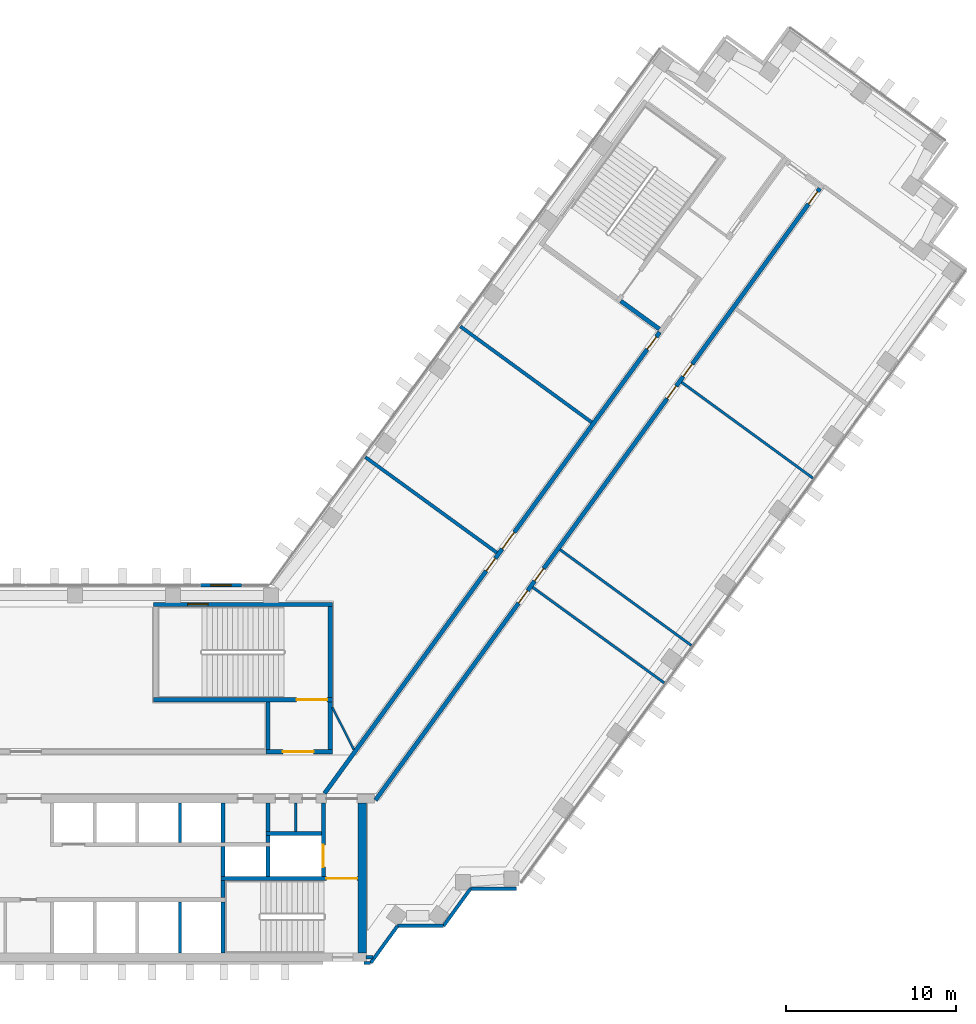
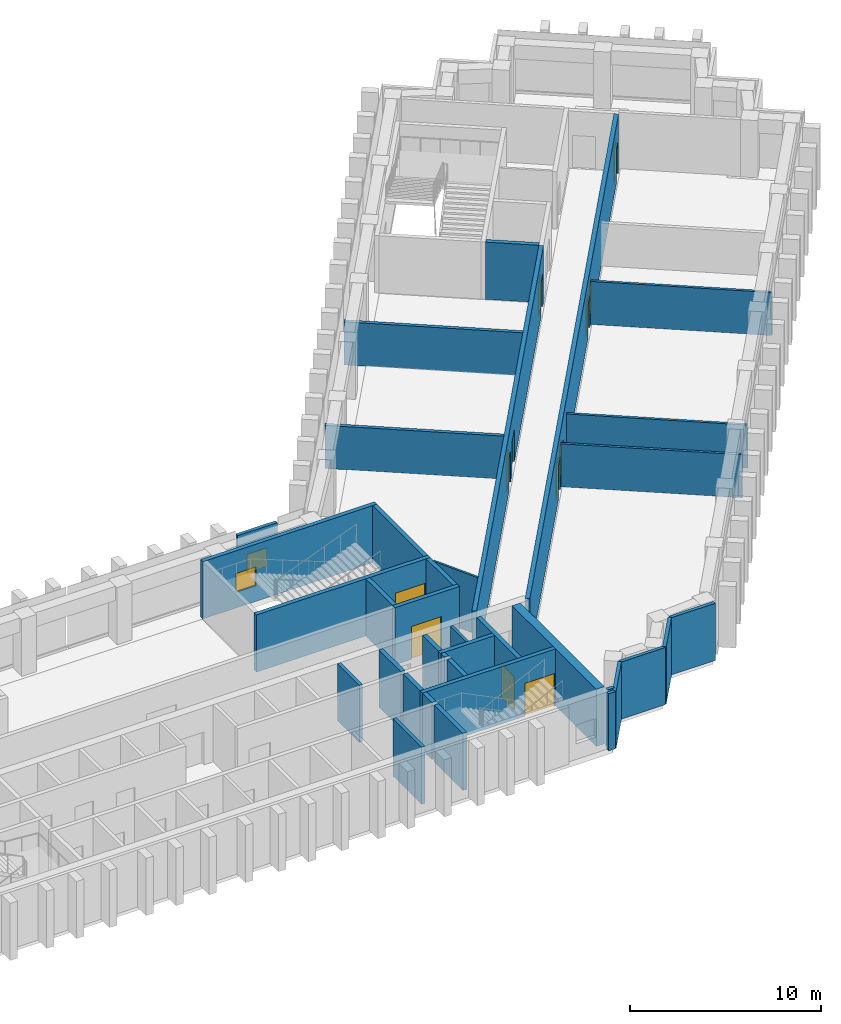
# One storey, part 11 of 16: 36 walls, 12 doors, 2 windows, 14 openings.
"""IFC4 building model written with IfcOpenShell, lengths in metres."""

from ifc_helpers import new_model, si_unit, direction, frame, frame_2d, origin, place, context, subcontext, project, spatial, rectangle, extrude, material, layer, layer_set, type_object, element, fill, save


model = new_model("IFC4")

# Units and contexts
model_context = context("Model", 3, precision=1e-05, world=origin(), true_north=direction((0.0, 1.0)))
body_context = subcontext(model_context, "Body", "Model", "MODEL_VIEW")
ifc_project = project(units=[si_unit("LENGTHUNIT", "METRE"), si_unit("AREAUNIT", "SQUARE_METRE"), si_unit("VOLUMEUNIT", "CUBIC_METRE"), si_unit("PLANEANGLEUNIT", "RADIAN"), si_unit("MASSUNIT", "GRAM", prefix="KILO")], contexts=[model_context])

# Site, building, storey
site_placement = place(None, origin())
site = spatial("IfcSite", under=ifc_project, at=site_placement, CompositionType="ELEMENT")
building_placement = place(site_placement, origin())
building = spatial("IfcBuilding", under=site, at=building_placement, Name="Quipu Civic Tower", CompositionType="ELEMENT")
storey_placement = place(building_placement, frame((0.0, 0.0, 51.0)))
storey = spatial("IfcBuildingStorey", under=building, at=storey_placement, Name="L11", CompositionType="ELEMENT", Elevation=51.0)

# Walls
ifc_material_1 = material(Name="Double gypsum plasterboard with mineral wool")
ifc_layer_1 = layer(ifc_material_1, 0.14990234375)
ifc_layer_set_1 = layer_set([ifc_layer_1], Name="Double gypsum plasterboard with mineral wool")
wall_type_1 = type_object("IfcWallType", Name="Acoustic partition 150 plasterboard", PredefinedType="PARTITIONING", material=ifc_layer_set_1)
wall_1_placement = place(storey_placement, frame((38.521728515625, 23.026123046875, 0.0), z_axis=(0.0, 0.0, 1.0), x_axis=(0.807606997933, -0.589721067023, 0.0)))
element("IfcWall", 1, at=wall_1_placement, inside=storey, type_object=wall_type_1, Name="Partition P06", PredefinedType="PARTITIONING", context=body_context, shape_type="SweptSolid", body=[
    extrude(rectangle(XDim=9.550048828125, YDim=0.14990234375, at=frame_2d((4.77490234375, 0.0))), origin(), (0.0, 0.0, 1.0), 2.75),
])
for number, where, z_axis, x_axis, name in (
    (2, (37.495849609375, 5.36669921875, 0.0), (0.0, 0.0, 1.0), (-0.809048817734, 0.587741448702, 0.0), "Partition P12"),
    (3, (31.3798828125, 13.1962890625, 0.0), (0.0, 0.0, 1.0), (0.807691251741, -0.589605666408, 0.0), "Partition P13"),
):
    element("IfcWall", number, at=place(storey_placement, frame(where, z_axis=z_axis, x_axis=x_axis)), inside=storey, type_object=wall_type_1, Name=name, PredefinedType="PARTITIONING", context=body_context, shape_type="SweptSolid", body=[
        extrude(rectangle(XDim=9.55029296875, YDim=0.14990234375, at=frame_2d((4.775146484375, 0.0))), origin(), (0.0, 0.0, 1.0), 2.75),
    ])
ifc_material_2 = material(Name="Fired clay blockwork", Category="masonry")
ifc_layer_2 = layer(ifc_material_2, 0.199951171875)
ifc_layer_set_2 = layer_set([ifc_layer_2], Name="Fired clay blockwork")
wall_type_2 = type_object("IfcWallType", Name="Blockwork wall 200", PredefinedType="SOLIDWALL", material=ifc_layer_set_2)
wall_2_placement = place(storey_placement, frame((27.664306640625, 13.015869140625, 0.0), z_axis=(0.0, 0.0, 1.0), x_axis=(-0.80900684162, 0.587799226107, 0.0)))
element("IfcWall", 4, at=wall_2_placement, inside=storey, type_object=wall_type_2, Name="Partition P05", PredefinedType="SOLIDWALL", context=body_context, shape_type="SweptSolid", body=[
    extrude(rectangle(XDim=9.550048828125, YDim=0.199951171875, at=frame_2d((4.77490234375, 0.0))), origin(), (0.0, 0.0, 1.0), 2.75),
])
wall_3_placement = place(storey_placement, frame((25.517578125, 26.30859375, 0.0), z_axis=(0.0, 0.0, 1.0), x_axis=(0.807610282865, -0.589716568371, 0.0)))
element("IfcWall", 5, at=wall_3_placement, inside=storey, type_object=wall_type_2, Name="Partition P11", PredefinedType="SOLIDWALL", context=body_context, shape_type="SweptSolid", body=[
    extrude(rectangle(XDim=9.549560546875, YDim=0.199951171875, at=frame_2d((4.77490234375, 0.0))), origin(), (0.0, 0.0, 1.0), 2.75),
])
ifc_material_3 = material(Name="Concrete C70/85", Category="concrete")
ifc_layer_3 = layer(ifc_material_3, 0.25)
ifc_layer_set_3 = layer_set([ifc_layer_3], Name="Concrete C70/85")
wall_type_3 = type_object("IfcWallType", Name="Core wall 250", PredefinedType="SHEAR", material=ifc_layer_set_3)
wall_4_placement = place(storey_placement, frame((11.574951171875, -10.5, 0.0), z_axis=(0.0, 0.0, 1.0), x_axis=(0.0, 1.0, 0.0)))
element("IfcWall", 6, at=wall_4_placement, inside=storey, type_object=wall_type_3, Name="Core wall", PredefinedType="SHEAR", context=body_context, shape_type="SweptSolid", body=[
    extrude(rectangle(XDim=3.0, YDim=0.25, at=frame_2d((1.5, 0.0))), origin(), (0.0, 0.0, 1.0), 3.64990234375),
])
wall_5_placement = place(storey_placement, frame((11.574951171875, -7.25, 0.0), z_axis=(0.0, 0.0, 1.0), x_axis=(0.0, 1.0, 0.0)))
element("IfcWall", 7, at=wall_5_placement, inside=storey, type_object=wall_type_3, Name="Core wall", PredefinedType="SHEAR", context=body_context, shape_type="SweptSolid", body=[
    extrude(rectangle(XDim=1.0, YDim=0.25, at=frame_2d((0.5, 0.0))), origin(), (0.0, 0.0, 1.0), 3.64990234375),
])

# Wall, opening, door
wall_6_placement = place(storey_placement, frame((19.5, -6.125, 0.0), z_axis=(0.0, 0.0, 1.0), x_axis=(-1.0, 0.0, 0.0)))
wall_6 = element("IfcWall", 8, at=wall_6_placement, inside=storey, type_object=wall_type_3, Name="Core wall", PredefinedType="SHEAR", context=body_context, shape_type="SweptSolid", body=[
    extrude(rectangle(XDim=8.050048828125, YDim=0.25, at=frame_2d((4.02490234375, 0.0))), origin(), (0.0, 0.0, 1.0), 3.64990234375),
])
opening_1_placement = place(wall_6_placement, frame((0.050048828125, 0.0, 0.0)))
opening_1 = element("IfcOpeningElement", 9, at=opening_1_placement, cuts=wall_6, Name="Opening CD-04", PredefinedType="OPENING", context=body_context, shape_type="SweptSolid", body=[
    extrude(rectangle(XDim=1.800048828125, YDim=2.10009765625, at=frame_2d((0.89990234375, 1.050048828125))), frame((0.0, 0.135009765625, 0.0), z_axis=(0.0, -1.0, 0.0), x_axis=(1.0, 0.0, 0.0)), (0.0, 0.0, 1.0), 0.27001953125),
])
ifc_material_4 = material(Name="Fire rated steel door", Category="steel")
door_type_1 = type_object("IfcDoorType", Name="Fire door FD90 double 1800 x 2100", OperationType="NOTDEFINED", PredefinedType="DOOR", material=ifc_material_4)
door_1_placement = place(opening_1_placement, origin())
door_1 = element("IfcDoor", 10, at=door_1_placement, inside=storey, type_object=door_type_1, Name="Door", OperationType="DOUBLE_DOOR_SINGLE_SWING", OverallHeight=2.10009765625, OverallWidth=1.800048828125, PredefinedType="DOOR", context=body_context, shape_type="SweptSolid", body=[
    extrude(rectangle(XDim=1.800048828125, YDim=2.10009765625, at=frame_2d((0.89990234375, 1.050048828125))), frame((0.0, 0.02490234375, 0.0), z_axis=(0.0, -1.0, 0.0), x_axis=(1.0, 0.0, 0.0)), (0.0, 0.0, 1.0), 0.050048828125),
])
fill(opening_1, door_1)

# Walls
for number, where, z_axis, x_axis, name in (
    (11, (11.574951171875, -6.0, 0.0), (0.0, 0.0, 1.0), (0.0, 1.0, 0.0), "Core wall"),
    (12, (14.22509765625, -6.0, 0.0), (0.0, 0.0, 1.0), (0.0, 1.0, 0.0), "Core wall"),
):
    element("IfcWall", number, at=place(storey_placement, frame(where, z_axis=z_axis, x_axis=x_axis)), inside=storey, type_object=wall_type_3, Name=name, PredefinedType="SHEAR", context=body_context, shape_type="SweptSolid", body=[
        extrude(rectangle(XDim=1.75, YDim=0.25, at=frame_2d((0.875, 0.0))), origin(), (0.0, 0.0, 1.0), 3.64990234375),
    ])

# Wall, opening, door
wall_7_placement = place(storey_placement, frame((17.47509765625, -6.0, 0.0), z_axis=(0.0, 0.0, 1.0), x_axis=(0.0, 1.0, 0.0)))
wall_7 = element("IfcWall", 13, at=wall_7_placement, inside=storey, type_object=wall_type_3, Name="Core wall", PredefinedType="SHEAR", context=body_context, shape_type="SweptSolid", body=[
    extrude(rectangle(XDim=4.300048828125, YDim=0.25, at=frame_2d((2.14990234375, 0.0))), origin(), (0.0, 0.0, 1.0), 3.64990234375),
])
opening_2_placement = place(wall_7_placement, frame((0.550048828125, 0.0, 0.0)))
opening_2 = element("IfcOpeningElement", 14, at=opening_2_placement, cuts=wall_7, Name="Opening LD-FF2", PredefinedType="OPENING", context=body_context, shape_type="SweptSolid", body=[
    extrude(rectangle(XDim=1.300048828125, YDim=2.10009765625, at=frame_2d((0.64990234375, 1.050048828125))), frame((0.0, 0.135009765625, 0.0), z_axis=(0.0, -1.0, 0.0), x_axis=(1.0, 0.0, 0.0)), (0.0, 0.0, 1.0), 0.27001953125),
])
ifc_material_5 = material(Name="Stainless steel", Category="steel")
door_type_2 = type_object("IfcDoorType", Name="Lift landing door 1300 x 2100", OperationType="DOUBLE_DOOR_SLIDING", PredefinedType="DOOR", material=ifc_material_5)
door_2_placement = place(opening_2_placement, origin())
door_2 = element("IfcDoor", 15, at=door_2_placement, inside=storey, type_object=door_type_2, Name="Landing door FF2", OperationType="DOUBLE_DOOR_SLIDING", OverallHeight=2.10009765625, OverallWidth=1.300048828125, PredefinedType="DOOR", context=body_context, shape_type="SweptSolid", body=[
    extrude(rectangle(XDim=1.300048828125, YDim=2.10009765625, at=frame_2d((0.64990234375, 1.050048828125))), frame((0.0, 0.02490234375, 0.0), z_axis=(0.0, -1.0, 0.0), x_axis=(1.0, 0.0, 0.0)), (0.0, 0.0, 1.0), 0.050048828125),
])
fill(opening_2, door_2)

# Walls
wall_8_placement = place(storey_placement, frame((11.574951171875, -4.0, 0.0), z_axis=(0.0, 0.0, 1.0), x_axis=(0.0, 1.0, 0.0)))
element("IfcWall", 16, at=wall_8_placement, inside=storey, type_object=wall_type_3, Name="Core wall", PredefinedType="SHEAR", context=body_context, shape_type="SweptSolid", body=[
    extrude(rectangle(XDim=2.300048828125, YDim=0.25, at=frame_2d((1.14990234375, 0.0))), origin(), (0.0, 0.0, 1.0), 3.64990234375),
])
wall_9_placement = place(storey_placement, frame((14.22509765625, -4.0, 0.0), z_axis=(0.0, 0.0, 1.0), x_axis=(0.0, 1.0, 0.0)))
element("IfcWall", 17, at=wall_9_placement, inside=storey, type_object=wall_type_3, Name="Core wall", PredefinedType="SHEAR", context=body_context, shape_type="SweptSolid", body=[
    extrude(rectangle(XDim=0.39990234375, YDim=0.25, at=frame_2d((0.199951171875, 0.0))), origin(), (0.0, 0.0, 1.0), 3.64990234375),
])
wall_10_placement = place(storey_placement, frame((14.10009765625, -3.47509765625, 0.0), z_axis=(0.0, 0.0, 1.0), x_axis=(1.0, 0.0, 0.0)))
element("IfcWall", 18, at=wall_10_placement, inside=storey, type_object=wall_type_3, Name="Core wall", PredefinedType="SHEAR", context=body_context, shape_type="SweptSolid", body=[
    extrude(rectangle(XDim=3.25, YDim=0.25, at=frame_2d((1.625, 0.0))), origin(), (0.0, 0.0, 1.0), 3.64990234375),
])
wall_11_placement = place(storey_placement, frame((14.22509765625, -3.35009765625, 0.0), z_axis=(0.0, 0.0, 1.0), x_axis=(0.0, 1.0, 0.0)))
element("IfcWall", 19, at=wall_11_placement, inside=storey, type_object=wall_type_3, Name="Core wall", PredefinedType="SHEAR", context=body_context, shape_type="SweptSolid", body=[
    extrude(rectangle(XDim=1.650146484375, YDim=0.25, at=frame_2d((0.8251953125, 0.0))), origin(), (0.0, 0.0, 1.0), 3.64990234375),
])

# Wall, opening, door
wall_12_placement = place(storey_placement, frame((14.10009765625, 1.324951171875, 0.0), z_axis=(0.0, 0.0, 1.0), x_axis=(1.0, 0.0, 0.0)))
wall_12 = element("IfcWall", 20, at=wall_12_placement, inside=storey, type_object=wall_type_3, Name="Core wall", PredefinedType="SHEAR", context=body_context, shape_type="SweptSolid", body=[
    extrude(rectangle(XDim=3.89990234375, YDim=0.25, at=frame_2d((1.949951171875, 0.0))), origin(), (0.0, 0.0, 1.0), 3.64990234375),
])
opening_3_placement = place(wall_12_placement, frame((1.0, 0.0, 0.0)))
opening_3 = element("IfcOpeningElement", 21, at=opening_3_placement, cuts=wall_12, Name="Opening CD-16", PredefinedType="OPENING", context=body_context, shape_type="SweptSolid", body=[
    extrude(rectangle(XDim=1.800048828125, YDim=2.10009765625, at=frame_2d((0.89990234375, 1.050048828125))), frame((0.0, 0.135009765625, 0.0), z_axis=(0.0, -1.0, 0.0), x_axis=(1.0, 0.0, 0.0)), (0.0, 0.0, 1.0), 0.27001953125),
])
door_3_placement = place(opening_3_placement, origin())
door_3 = element("IfcDoor", 22, at=door_3_placement, inside=storey, type_object=door_type_1, Name="Lobby door", OperationType="DOUBLE_DOOR_SINGLE_SWING", OverallHeight=2.10009765625, OverallWidth=1.800048828125, PredefinedType="DOOR", context=body_context, shape_type="SweptSolid", body=[
    extrude(rectangle(XDim=1.800048828125, YDim=2.10009765625, at=frame_2d((0.89990234375, 1.050048828125))), frame((0.0, 0.02490234375, 0.0), z_axis=(0.0, -1.0, 0.0), x_axis=(1.0, 0.0, 0.0)), (0.0, 0.0, 1.0), 0.050048828125),
])
fill(opening_3, door_3)

# Walls
for number, where, z_axis, x_axis, name in (
    (23, (14.22509765625, 1.449951171875, 0.0), (0.0, 0.0, 1.0), (0.0, 1.0, 0.0), "Core wall"),
    (24, (17.875, 1.449951171875, 0.0), (0.0, 0.0, 1.0), (0.0, 1.0, 0.0), "Core wall"),
):
    element("IfcWall", number, at=place(storey_placement, frame(where, z_axis=z_axis, x_axis=x_axis)), inside=storey, type_object=wall_type_3, Name=name, PredefinedType="SHEAR", context=body_context, shape_type="SweptSolid", body=[
        extrude(rectangle(XDim=2.800048828125, YDim=0.25, at=frame_2d((1.39990234375, 0.0))), origin(), (0.0, 0.0, 1.0), 3.64990234375),
    ])

# Wall, opening, door
wall_13_placement = place(storey_placement, frame((7.5, 4.375, 0.0), z_axis=(0.0, 0.0, 1.0), x_axis=(1.0, 0.0, 0.0)))
wall_13 = element("IfcWall", 25, at=wall_13_placement, inside=storey, type_object=wall_type_3, Name="Core wall", PredefinedType="SHEAR", context=body_context, shape_type="SweptSolid", body=[
    extrude(rectangle(XDim=10.5, YDim=0.25, at=frame_2d((5.25, 0.0))), origin(), (0.0, 0.0, 1.0), 3.64990234375),
])
opening_4_placement = place(wall_13_placement, frame((8.39990234375, 0.0, 0.0)))
opening_4 = element("IfcOpeningElement", 26, at=opening_4_placement, cuts=wall_13, Name="Opening CD-17", PredefinedType="OPENING", context=body_context, shape_type="SweptSolid", body=[
    extrude(rectangle(XDim=1.800048828125, YDim=2.10009765625, at=frame_2d((0.89990234375, 1.050048828125))), frame((0.0, 0.135009765625, 0.0), z_axis=(0.0, -1.0, 0.0), x_axis=(1.0, 0.0, 0.0)), (0.0, 0.0, 1.0), 0.27001953125),
])
door_4_placement = place(opening_4_placement, origin())
door_4 = element("IfcDoor", 27, at=door_4_placement, inside=storey, type_object=door_type_1, Name="Door", OperationType="DOUBLE_DOOR_SINGLE_SWING", OverallHeight=2.10009765625, OverallWidth=1.800048828125, PredefinedType="DOOR", context=body_context, shape_type="SweptSolid", body=[
    extrude(rectangle(XDim=1.800048828125, YDim=2.10009765625, at=frame_2d((0.89990234375, 1.050048828125))), frame((0.0, 0.02490234375, 0.0), z_axis=(0.0, -1.0, 0.0), x_axis=(1.0, 0.0, 0.0)), (0.0, 0.0, 1.0), 0.050048828125),
])
fill(opening_4, door_4)

# Wall
wall_14_placement = place(storey_placement, frame((17.875, 4.5, 0.0), z_axis=(0.0, 0.0, 1.0), x_axis=(0.0, 1.0, 0.0)))
element("IfcWall", 28, at=wall_14_placement, inside=storey, type_object=wall_type_3, Name="Core wall", PredefinedType="SHEAR", context=body_context, shape_type="SweptSolid", body=[
    extrude(rectangle(XDim=5.35009765625, YDim=0.25, at=frame_2d((2.675048828125, 0.0))), origin(), (0.0, 0.0, 1.0), 3.64990234375),
])

# Wall, opening, window
wall_15_placement = place(storey_placement, frame((7.5, 9.97509765625, 0.0), z_axis=(0.0, 0.0, 1.0), x_axis=(1.0, 0.0, 0.0)))
wall_15 = element("IfcWall", 29, at=wall_15_placement, inside=storey, type_object=wall_type_3, Name="Core wall", PredefinedType="SHEAR", context=body_context, shape_type="SweptSolid", body=[
    extrude(rectangle(XDim=10.5, YDim=0.25, at=frame_2d((5.25, 0.0))), origin(), (0.0, 0.0, 1.0), 3.64990234375),
])
opening_5_placement = place(wall_15_placement, frame((2.0, 0.0, 1.0)))
opening_5 = element("IfcOpeningElement", 30, at=opening_5_placement, cuts=wall_15, Name="Opening SV-4", PredefinedType="OPENING", context=body_context, shape_type="SweptSolid", body=[
    extrude(rectangle(XDim=1.199951171875, YDim=1.199951171875, at=frame_2d((0.60009765625, 0.60009765625))), frame((0.0, 0.135009765625, 0.0), z_axis=(0.0, -1.0, 0.0), x_axis=(1.0, 0.0, 0.0)), (0.0, 0.0, 1.0), 0.27001953125),
])
ifc_material_6 = material(Name="Aluminium louvre", Category="aluminium")
window_type_1 = type_object("IfcWindowType", Name="Stair ventilation louvre 1200 x 1200", PartitioningType="SINGLE_PANEL", PredefinedType="WINDOW", material=ifc_material_6)
window_1_placement = place(opening_5_placement, origin())
window_1 = element("IfcWindow", 31, at=window_1_placement, inside=storey, type_object=window_type_1, Name="Stair ventilation opening", OverallHeight=1.199951171875, OverallWidth=1.199951171875, PartitioningType="SINGLE_PANEL", PredefinedType="WINDOW", context=body_context, shape_type="SweptSolid", body=[
    extrude(rectangle(XDim=1.199951171875, YDim=1.199951171875, at=frame_2d((0.60009765625, 0.60009765625))), frame((0.0, 0.030029296875, 0.0), z_axis=(0.0, -1.0, 0.0), x_axis=(1.0, 0.0, 0.0)), (0.0, 0.0, 1.0), 0.06005859375),
])
fill(opening_5, window_1)

# Walls
wall_16_placement = place(storey_placement, frame((37.2099609375, 26.154296875, 0.0), z_axis=(0.0, 0.0, 1.0), x_axis=(-0.809041377956, 0.587751689708, 0.0)))
element("IfcWall", 32, at=wall_16_placement, inside=storey, type_object=wall_type_3, Name="Core wall", PredefinedType="SHEAR", context=body_context, shape_type="SweptSolid", body=[
    extrude(rectangle(XDim=2.800048828125, YDim=0.25, at=frame_2d((1.39990234375, 0.0))), origin(), (0.0, 0.0, 1.0), 3.64990234375),
])
ifc_material_7 = material(Name="Concrete C70/85", Category="concrete")
ifc_layer_4 = layer(ifc_material_7, 0.5)
ifc_layer_set_4 = layer_set([ifc_layer_4], Name="Concrete C70/85")
wall_type_4 = type_object("IfcWallType", Name="Core wall 500", PredefinedType="SHEAR", material=ifc_layer_set_4)
wall_17_placement = place(storey_placement, frame((19.75, -10.5, 0.0), z_axis=(0.0, 0.0, 1.0), x_axis=(0.0, 1.0, 0.0)))
element("IfcWall", 33, at=wall_17_placement, inside=storey, type_object=wall_type_4, Name="Core wall", PredefinedType="SHEAR", context=body_context, shape_type="SweptSolid", body=[
    extrude(rectangle(XDim=8.800048828125, YDim=0.5, at=frame_2d((4.39990234375, 0.0))), origin(), (0.0, 0.0, 1.0), 3.64990234375),
])

# Wall, openings, doors
ifc_material_8 = material(Name="Concrete C50/60", Category="concrete")
ifc_layer_5 = layer(ifc_material_8, 0.25)
ifc_layer_set_5 = layer_set([ifc_layer_5], Name="Concrete C50/60")
wall_type_5 = type_object("IfcWallType", Name="Corridor wall 250 concrete", PredefinedType="SOLIDWALL", material=ifc_layer_set_5)
wall_18_placement = place(storey_placement, frame((17.544921875, -1.124755859375, 0.0), z_axis=(0.0, 0.0, 1.0), x_axis=(0.587786323093, 0.809016216391, 0.0)))
wall_18 = element("IfcWall", 34, at=wall_18_placement, inside=storey, type_object=wall_type_5, Name="Corridor wall C06", PredefinedType="SOLIDWALL", context=body_context, shape_type="SweptSolid", body=[
    extrude(rectangle(XDim=33.4931640625, YDim=0.25, at=frame_2d((16.74658203125, 0.0))), origin(), (0.0, 0.0, 1.0), 3.64990234375),
])
opening_6_placement = place(wall_18_placement, frame((16.158203125, 0.0, 0.0)))
opening_6 = element("IfcOpeningElement", 35, at=opening_6_placement, cuts=wall_18, Name="Opening D001", PredefinedType="OPENING", context=body_context, shape_type="SweptSolid", body=[
    extrude(rectangle(XDim=0.89990234375, YDim=2.10009765625, at=frame_2d((0.449951171875, 1.050048828125))), frame((0.0, 0.135009765625, 0.0), z_axis=(0.0, -1.0, 0.0), x_axis=(1.0, 0.0, 0.0)), (0.0, 0.0, 1.0), 0.27001953125),
])
opening_7_placement = place(wall_18_placement, frame((32.2529296875, 0.0, 0.0)))
opening_7 = element("IfcOpeningElement", 36, at=opening_7_placement, cuts=wall_18, Name="Opening D003", PredefinedType="OPENING", context=body_context, shape_type="SweptSolid", body=[
    extrude(rectangle(XDim=0.89990234375, YDim=2.10009765625, at=frame_2d((0.449951171875, 1.050048828125))), frame((0.0, 0.135009765625, 0.0), z_axis=(0.0, -1.0, 0.0), x_axis=(1.0, 0.0, 0.0)), (0.0, 0.0, 1.0), 0.27001953125),
])
opening_8_placement = place(wall_18_placement, frame((17.757080078125, 0.0, 0.0)))
opening_8 = element("IfcOpeningElement", 37, at=opening_8_placement, cuts=wall_18, Name="Opening D002", PredefinedType="OPENING", context=body_context, shape_type="SweptSolid", body=[
    extrude(rectangle(XDim=1.199951171875, YDim=2.10009765625, at=frame_2d((0.60009765625, 1.050048828125))), frame((0.0, 0.135009765625, 0.0), z_axis=(0.0, -1.0, 0.0), x_axis=(1.0, 0.0, 0.0)), (0.0, 0.0, 1.0), 0.27001953125),
])
ifc_material_9 = material(Name="Fire rated timber door set with metal frame", Category="wood")
door_type_3 = type_object("IfcDoorType", Name="Single door 1200 x 2100 FD60", OperationType="NOTDEFINED", PredefinedType="DOOR", material=ifc_material_9)
door_5_placement = place(opening_8_placement, origin())
door_5 = element("IfcDoor", 38, at=door_5_placement, inside=storey, type_object=door_type_3, Name="Door D002", OperationType="SINGLE_SWING_LEFT", OverallHeight=2.10009765625, OverallWidth=1.199951171875, PredefinedType="DOOR", context=body_context, shape_type="SweptSolid", body=[
    extrude(rectangle(XDim=1.199951171875, YDim=2.10009765625, at=frame_2d((0.60009765625, 1.050048828125))), frame((0.0, 0.02490234375, 0.0), z_axis=(0.0, -1.0, 0.0), x_axis=(1.0, 0.0, 0.0)), (0.0, 0.0, 1.0), 0.050048828125),
])
fill(opening_8, door_5)
ifc_material_10 = material(Name="Fire rated timber door set with metal frame", Category="wood")
door_type_4 = type_object("IfcDoorType", Name="Single door 900 x 2100 FD60", OperationType="NOTDEFINED", PredefinedType="DOOR", material=ifc_material_10)
door_6_placement = place(opening_6_placement, origin())
door_6 = element("IfcDoor", 39, at=door_6_placement, inside=storey, type_object=door_type_4, Name="Door D001", OperationType="SINGLE_SWING_RIGHT", OverallHeight=2.10009765625, OverallWidth=0.89990234375, PredefinedType="DOOR", context=body_context, shape_type="SweptSolid", body=[
    extrude(rectangle(XDim=0.89990234375, YDim=2.10009765625, at=frame_2d((0.449951171875, 1.050048828125))), frame((0.0, 0.02490234375, 0.0), z_axis=(0.0, -1.0, 0.0), x_axis=(1.0, 0.0, 0.0)), (0.0, 0.0, 1.0), 0.050048828125),
])
fill(opening_6, door_6)
door_7_placement = place(opening_7_placement, origin())
door_7 = element("IfcDoor", 40, at=door_7_placement, inside=storey, type_object=door_type_4, Name="Door D003", OperationType="SINGLE_SWING_RIGHT", OverallHeight=2.10009765625, OverallWidth=0.89990234375, PredefinedType="DOOR", context=body_context, shape_type="SweptSolid", body=[
    extrude(rectangle(XDim=0.89990234375, YDim=2.10009765625, at=frame_2d((0.449951171875, 1.050048828125))), frame((0.0, 0.02490234375, 0.0), z_axis=(0.0, -1.0, 0.0), x_axis=(1.0, 0.0, 0.0)), (0.0, 0.0, 1.0), 0.050048828125),
])
fill(opening_7, door_7)

wall_19_placement = place(storey_placement, frame((46.640625, 34.413330078125, 0.0), z_axis=(0.0, 0.0, 1.0), x_axis=(-0.587785682186, -0.809016682039, 0.0)))
wall_19 = element("IfcWall", 41, at=wall_19_placement, inside=storey, type_object=wall_type_5, Name="Corridor wall C09", PredefinedType="SOLIDWALL", context=body_context, shape_type="SweptSolid", body=[
    extrude(rectangle(XDim=44.42041015625, YDim=0.25, at=frame_2d((22.210205078125, 0.0))), origin(), (0.0, 0.0, 1.0), 3.64990234375),
])
opening_9_placement = place(wall_19_placement, frame((12.7548828125, 0.0, 0.0)))
opening_9 = element("IfcOpeningElement", 42, at=opening_9_placement, cuts=wall_19, Name="Opening D008", PredefinedType="OPENING", context=body_context, shape_type="SweptSolid", body=[
    extrude(rectangle(XDim=0.89990234375, YDim=2.10009765625, at=frame_2d((0.449951171875, 1.050048828125))), frame((0.0, 0.135009765625, 0.0), z_axis=(0.0, -1.0, 0.0), x_axis=(1.0, 0.0, 0.0)), (0.0, 0.0, 1.0), 0.27001953125),
])
opening_10_placement = place(wall_19_placement, frame((29.20458984375, 0.0, 0.0)))
opening_10 = element("IfcOpeningElement", 43, at=opening_10_placement, cuts=wall_19, Name="Opening D005", PredefinedType="OPENING", context=body_context, shape_type="SweptSolid", body=[
    extrude(rectangle(XDim=0.89990234375, YDim=2.10009765625, at=frame_2d((0.449951171875, 1.050048828125))), frame((0.0, 0.135009765625, 0.0), z_axis=(0.0, -1.0, 0.0), x_axis=(1.0, 0.0, 0.0)), (0.0, 0.0, 1.0), 0.27001953125),
])
opening_11_placement = place(wall_19_placement, frame((14.354248046875, 0.0, 0.0)))
opening_11 = element("IfcOpeningElement", 44, at=opening_11_placement, cuts=wall_19, Name="Opening D007", PredefinedType="OPENING", context=body_context, shape_type="SweptSolid", body=[
    extrude(rectangle(XDim=0.89990234375, YDim=2.10009765625, at=frame_2d((0.449951171875, 1.050048828125))), frame((0.0, 0.135009765625, 0.0), z_axis=(0.0, -1.0, 0.0), x_axis=(1.0, 0.0, 0.0)), (0.0, 0.0, 1.0), 0.27001953125),
])
opening_12_placement = place(wall_19_placement, frame((27.6044921875, 0.0, 0.0)))
opening_12 = element("IfcOpeningElement", 45, at=opening_12_placement, cuts=wall_19, Name="Opening D006", PredefinedType="OPENING", context=body_context, shape_type="SweptSolid", body=[
    extrude(rectangle(XDim=0.89990234375, YDim=2.10009765625, at=frame_2d((0.449951171875, 1.050048828125))), frame((0.0, 0.135009765625, 0.0), z_axis=(0.0, -1.0, 0.0), x_axis=(1.0, 0.0, 0.0)), (0.0, 0.0, 1.0), 0.27001953125),
])
opening_13_placement = place(wall_19_placement, frame((0.224853515625, 0.0, 0.0)))
opening_13 = element("IfcOpeningElement", 46, at=opening_13_placement, cuts=wall_19, Name="Opening D009", PredefinedType="OPENING", context=body_context, shape_type="SweptSolid", body=[
    extrude(rectangle(XDim=0.89990234375, YDim=2.10009765625, at=frame_2d((0.449951171875, 1.050048828125))), frame((0.0, 0.135009765625, 0.0), z_axis=(0.0, -1.0, 0.0), x_axis=(1.0, 0.0, 0.0)), (0.0, 0.0, 1.0), 0.27001953125),
])
door_8_placement = place(opening_9_placement, origin())
door_8 = element("IfcDoor", 47, at=door_8_placement, inside=storey, type_object=door_type_4, Name="Door D008", OperationType="SINGLE_SWING_RIGHT", OverallHeight=2.10009765625, OverallWidth=0.89990234375, PredefinedType="DOOR", context=body_context, shape_type="SweptSolid", body=[
    extrude(rectangle(XDim=0.89990234375, YDim=2.10009765625, at=frame_2d((0.449951171875, 1.050048828125))), frame((0.0, 0.02490234375, 0.0), z_axis=(0.0, -1.0, 0.0), x_axis=(1.0, 0.0, 0.0)), (0.0, 0.0, 1.0), 0.050048828125),
])
fill(opening_9, door_8)
door_9_placement = place(opening_10_placement, origin())
door_9 = element("IfcDoor", 48, at=door_9_placement, inside=storey, type_object=door_type_4, Name="Door D005", OperationType="SINGLE_SWING_LEFT", OverallHeight=2.10009765625, OverallWidth=0.89990234375, PredefinedType="DOOR", context=body_context, shape_type="SweptSolid", body=[
    extrude(rectangle(XDim=0.89990234375, YDim=2.10009765625, at=frame_2d((0.449951171875, 1.050048828125))), frame((0.0, 0.02490234375, 0.0), z_axis=(0.0, -1.0, 0.0), x_axis=(1.0, 0.0, 0.0)), (0.0, 0.0, 1.0), 0.050048828125),
])
fill(opening_10, door_9)
door_10_placement = place(opening_11_placement, origin())
door_10 = element("IfcDoor", 49, at=door_10_placement, inside=storey, type_object=door_type_4, Name="Door D007", OperationType="SINGLE_SWING_LEFT", OverallHeight=2.10009765625, OverallWidth=0.89990234375, PredefinedType="DOOR", context=body_context, shape_type="SweptSolid", body=[
    extrude(rectangle(XDim=0.89990234375, YDim=2.10009765625, at=frame_2d((0.449951171875, 1.050048828125))), frame((0.0, 0.02490234375, 0.0), z_axis=(0.0, -1.0, 0.0), x_axis=(1.0, 0.0, 0.0)), (0.0, 0.0, 1.0), 0.050048828125),
])
fill(opening_11, door_10)
door_11_placement = place(opening_12_placement, origin())
door_11 = element("IfcDoor", 50, at=door_11_placement, inside=storey, type_object=door_type_4, Name="Door D006", OperationType="SINGLE_SWING_RIGHT", OverallHeight=2.10009765625, OverallWidth=0.89990234375, PredefinedType="DOOR", context=body_context, shape_type="SweptSolid", body=[
    extrude(rectangle(XDim=0.89990234375, YDim=2.10009765625, at=frame_2d((0.449951171875, 1.050048828125))), frame((0.0, 0.02490234375, 0.0), z_axis=(0.0, -1.0, 0.0), x_axis=(1.0, 0.0, 0.0)), (0.0, 0.0, 1.0), 0.050048828125),
])
fill(opening_12, door_11)
door_12_placement = place(opening_13_placement, origin())
door_12 = element("IfcDoor", 51, at=door_12_placement, inside=storey, type_object=door_type_4, Name="Door D009", OperationType="SINGLE_SWING_LEFT", OverallHeight=2.10009765625, OverallWidth=0.89990234375, PredefinedType="DOOR", context=body_context, shape_type="SweptSolid", body=[
    extrude(rectangle(XDim=0.89990234375, YDim=2.10009765625, at=frame_2d((0.449951171875, 1.050048828125))), frame((0.0, 0.02490234375, 0.0), z_axis=(0.0, -1.0, 0.0), x_axis=(1.0, 0.0, 0.0)), (0.0, 0.0, 1.0), 0.050048828125),
])
fill(opening_13, door_12)

# Walls
ifc_material_11 = material(Name="Gypsum plasterboard on light gauge framing")
ifc_layer_6 = layer(ifc_material_11, 0.1201171875)
ifc_layer_set_6 = layer_set([ifc_layer_6], Name="Gypsum plasterboard on light gauge framing")
wall_type_6 = type_object("IfcWallType", Name="Partition 120 plasterboard", PredefinedType="PARTITIONING", material=ifc_layer_set_6)
wall_20_placement = place(storey_placement, frame((18.0, 3.925048828125, 0.0), z_axis=(0.0, 0.0, 1.0), x_axis=(0.453950796792, -0.891026752736, 0.0)))
element("IfcWall", 52, at=wall_20_placement, inside=storey, type_object=wall_type_6, Name="Partition P19", PredefinedType="PARTITIONING", context=body_context, shape_type="SweptSolid", body=[
    extrude(rectangle(XDim=2.77783203125, YDim=0.1201171875, at=frame_2d((1.388916015625, 0.0))), origin(), (0.0, 0.0, 1.0), 3.64990234375),
])
ifc_material_12 = material(Name="Gypsum board partition")
ifc_layer_7 = layer(ifc_material_12, 0.14990234375)
ifc_layer_set_7 = layer_set([ifc_layer_7], Name="Gypsum board partition")
wall_type_7 = type_object("IfcWallType", Name="Partition 150", PredefinedType="PARTITIONING", material=ifc_layer_set_7)
wall_21_placement = place(storey_placement, frame((15.85009765625, -3.35009765625, 0.0), z_axis=(0.0, 0.0, 1.0), x_axis=(0.0, 1.0, 0.0)))
element("IfcWall", 53, at=wall_21_placement, inside=storey, type_object=wall_type_7, Name="Partition", PredefinedType="PARTITIONING", context=body_context, shape_type="SweptSolid", body=[
    extrude(rectangle(XDim=1.650146484375, YDim=0.14990234375, at=frame_2d((0.8251953125, 0.0))), origin(), (0.0, 0.0, 1.0), 3.64990234375),
])
ifc_material_13 = material(Name="Precast concrete C40/50", Category="concrete")
wall_type_8 = type_object("IfcWallType", Name="Precast cladding wall", PredefinedType="SOLIDWALL", material=ifc_material_13)
wall_22_placement = place(storey_placement, frame((19.85009765625, -11.087890625, 0.0), z_axis=(0.0, 0.0, 1.0), x_axis=(1.0, 0.0, 0.0)))
element("IfcWall", 54, at=wall_22_placement, inside=storey, type_object=wall_type_8, Name="Precast cladding wall L11 P08", PredefinedType="SOLIDWALL", context=body_context, shape_type="SweptSolid", body=[
    extrude(rectangle(XDim=0.40576171875, YDim=0.199951171875, at=frame_2d((0.202880859375, 0.0))), origin(), (0.0, 0.0, 1.0), 3.64990234375),
])
wall_23_placement = place(storey_placement, frame((20.253173828125, -11.083251953125, 0.0), z_axis=(0.0, 0.0, 1.0), x_axis=(0.587766567315, 0.809030569476, 0.0)))
element("IfcWall", 55, at=wall_23_placement, inside=storey, type_object=wall_type_8, Name="Precast cladding wall L11 P09", PredefinedType="SOLIDWALL", context=body_context, shape_type="SweptSolid", body=[
    extrude(rectangle(XDim=2.687744140625, YDim=0.199951171875, at=frame_2d((1.34375, 0.0))), origin(), (0.0, 0.0, 1.0), 3.64990234375),
])
wall_24_placement = place(storey_placement, frame((21.8427734375, -8.90380859375, 0.0), z_axis=(0.0, 0.0, 1.0), x_axis=(1.0, 0.0, 0.0)))
element("IfcWall", 56, at=wall_24_placement, inside=storey, type_object=wall_type_8, Name="Precast cladding wall L11 P10", PredefinedType="SOLIDWALL", context=body_context, shape_type="SweptSolid", body=[
    extrude(rectangle(XDim=2.699951171875, YDim=0.199951171875, at=frame_2d((1.35009765625, 0.0))), origin(), (0.0, 0.0, 1.0), 3.64990234375),
])
wall_25_placement = place(storey_placement, frame((24.533203125, -8.90869140625, 0.0), z_axis=(0.0, 0.0, 1.0), x_axis=(0.587720002413, 0.809064397168, 0.0)))
element("IfcWall", 57, at=wall_25_placement, inside=storey, type_object=wall_type_8, Name="Precast cladding wall L11 P11", PredefinedType="SOLIDWALL", context=body_context, shape_type="SweptSolid", body=[
    extrude(rectangle(XDim=2.7001953125, YDim=0.199951171875, at=frame_2d((1.35009765625, 0.0))), origin(), (0.0, 0.0, 1.0), 3.64990234375),
])
wall_26_placement = place(storey_placement, frame((26.1298828125, -6.71923828125, 0.0), z_axis=(0.0, 0.0, 1.0), x_axis=(1.0, 0.0, 0.0)))
element("IfcWall", 58, at=wall_26_placement, inside=storey, type_object=wall_type_8, Name="Precast cladding wall L11 P12", PredefinedType="SOLIDWALL", context=body_context, shape_type="SweptSolid", body=[
    extrude(rectangle(XDim=2.699951171875, YDim=0.199951171875, at=frame_2d((1.35009765625, 0.0))), origin(), (0.0, 0.0, 1.0), 3.64990234375),
])

# Wall, opening, window
wall_27_placement = place(storey_placement, frame((12.655029296875, 11.10009765625, 0.0), z_axis=(0.0, 0.0, 1.0), x_axis=(-1.0, 0.0, 0.0)))
wall_27 = element("IfcWall", 59, at=wall_27_placement, inside=storey, type_object=wall_type_8, Name="Vent surround SF-L09-2", PredefinedType="SOLIDWALL", context=body_context, shape_type="SweptSolid", body=[
    extrude(rectangle(XDim=2.3916015625, YDim=0.199951171875, at=frame_2d((1.19580078125, 0.0))), origin(), (0.0, 0.0, 1.0), 3.64990234375),
])
opening_14_placement = place(wall_27_placement, frame((0.595703125, 0.0, 1.0)))
opening_14 = element("IfcOpeningElement", 60, at=opening_14_placement, cuts=wall_27, Name="Opening SF-L09-2", PredefinedType="OPENING", context=body_context, shape_type="SweptSolid", body=[
    extrude(rectangle(XDim=1.199951171875, YDim=1.199951171875, at=frame_2d((0.60009765625, 0.60009765625))), frame((0.0, 0.10986328125, 0.0), z_axis=(0.0, -1.0, 0.0), x_axis=(1.0, 0.0, 0.0)), (0.0, 0.0, 1.0), 0.219970703125),
])
ifc_material_14 = material(Name="Anodised aluminium louvre", Category="aluminium")
window_type_2 = type_object("IfcWindowType", Name="Stair vent louvre window P3", PartitioningType="SINGLE_PANEL", PredefinedType="WINDOW", material=ifc_material_14)
window_2_placement = place(opening_14_placement, origin())
window_2 = element("IfcWindow", 61, at=window_2_placement, inside=storey, type_object=window_type_2, Name="Stair vent louvre SF-L09-2", OverallHeight=1.199951171875, OverallWidth=1.199951171875, PartitioningType="SINGLE_PANEL", PredefinedType="WINDOW", context=body_context, shape_type="SweptSolid", body=[
    extrude(rectangle(XDim=1.199951171875, YDim=1.199951171875, at=frame_2d((0.60009765625, 0.60009765625))), frame((0.0, 0.030029296875, 0.0), z_axis=(0.0, -1.0, 0.0), x_axis=(1.0, 0.0, 0.0)), (0.0, 0.0, 1.0), 0.06005859375),
])
fill(opening_14, window_2)

# Walls
wall_28_placement = place(storey_placement, frame((19.97998046875, -10.75, 0.0), z_axis=(0.0, 0.0, 1.0), x_axis=(1.0, 0.0, 0.0)))
element("IfcWall", 62, at=wall_28_placement, inside=storey, type_object=wall_type_8, Name="Precast cladding return L11 E", PredefinedType="SOLIDWALL", context=body_context, shape_type="SweptSolid", body=[
    extrude(rectangle(XDim=0.41650390625, YDim=0.199951171875, at=frame_2d((0.208251953125, 0.0))), origin(), (0.0, 0.0, 1.0), 3.64990234375),
])
ifc_material_15 = material(Name="Concrete C40/50", Category="concrete")
ifc_layer_8 = layer(ifc_material_15, 0.199951171875)
ifc_layer_set_8 = layer_set([ifc_layer_8], Name="Concrete C40/50")
wall_type_9 = type_object("IfcWallType", Name="Shaft wall 200", PredefinedType="SOLIDWALL", material=ifc_layer_set_8)
wall_29_placement = place(storey_placement, frame((9.050048828125, -10.5, 0.0), z_axis=(0.0, 0.0, 1.0), x_axis=(0.0, 1.0, 0.0)))
element("IfcWall", 63, at=wall_29_placement, inside=storey, type_object=wall_type_9, Name="Shaft wall", PredefinedType="SOLIDWALL", context=body_context, shape_type="SweptSolid", body=[
    extrude(rectangle(XDim=3.0, YDim=0.199951171875, at=frame_2d((1.5, 0.0))), origin(), (0.0, 0.0, 1.0), 3.64990234375),
])
wall_30_placement = place(storey_placement, frame((9.050048828125, -4.0, 0.0), z_axis=(0.0, 0.0, 1.0), x_axis=(0.0, 1.0, 0.0)))
element("IfcWall", 64, at=wall_30_placement, inside=storey, type_object=wall_type_9, Name="Shaft wall", PredefinedType="SOLIDWALL", context=body_context, shape_type="SweptSolid", body=[
    extrude(rectangle(XDim=2.300048828125, YDim=0.199951171875, at=frame_2d((1.14990234375, 0.0))), origin(), (0.0, 0.0, 1.0), 3.64990234375),
])

save(model, "model.ifc")
